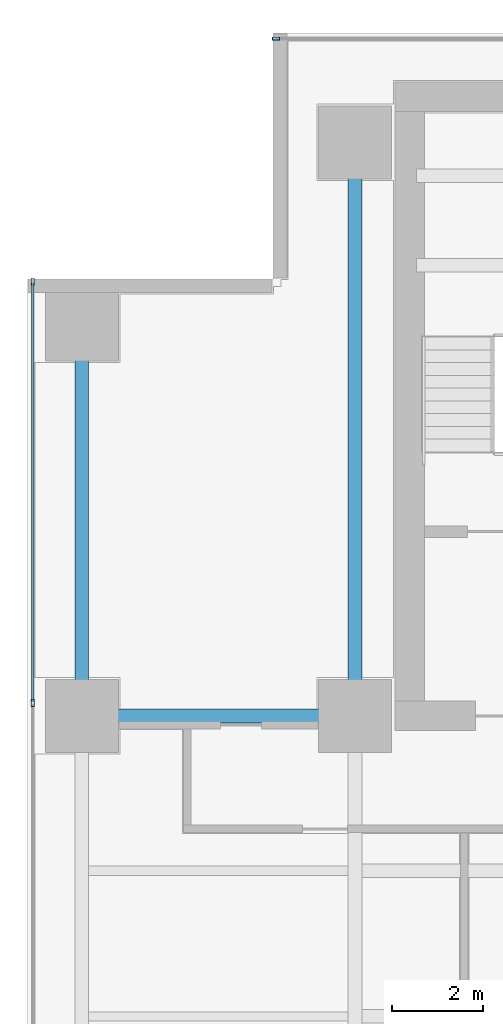
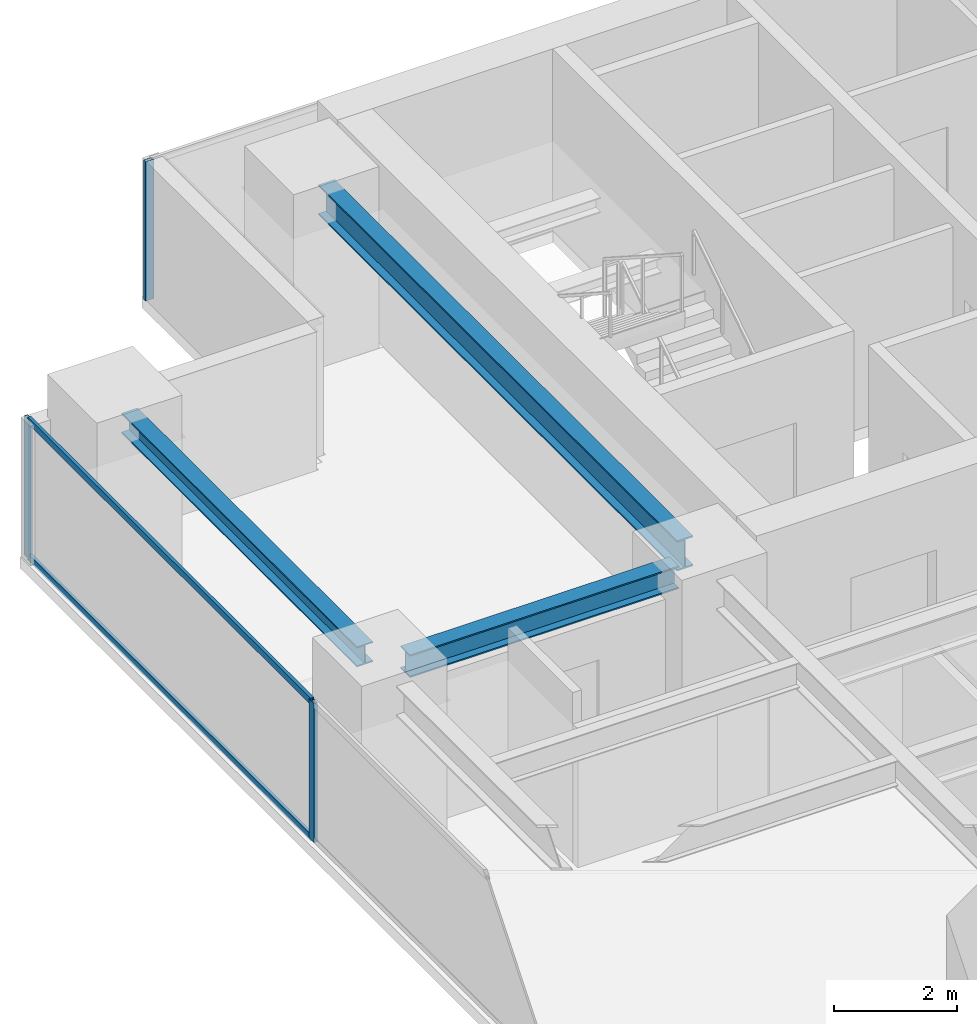
# One storey, part 14 of 27: 5 members, 3 beams, 2 elements without a shape of their own.
"""IFC4 building model written with IfcOpenShell, lengths in metres."""

from ifc_helpers import new_model, si_unit, direction, frame, origin, origin_2d, place, context, subcontext, project, spatial, hollow_rectangle, i_section, extrude, source, transform, mapped, material, layer, layer_set, material_profile, profile_set, type_object, element, aggregate, save


model = new_model("IFC4")

# Units and contexts
model_context = context("Model", 3, precision=1e-05, world=origin(), true_north=direction((0.0, 1.0)))
body_context = subcontext(model_context, "Body", "Model", "MODEL_VIEW")
ifc_project = project(units=[si_unit("LENGTHUNIT", "METRE"), si_unit("AREAUNIT", "SQUARE_METRE"), si_unit("VOLUMEUNIT", "CUBIC_METRE"), si_unit("PLANEANGLEUNIT", "RADIAN"), si_unit("MASSUNIT", "GRAM", prefix="KILO")], contexts=[model_context])

# Site, building, storey
site_placement = place(None, origin())
site = spatial("IfcSite", under=ifc_project, at=site_placement, CompositionType="ELEMENT")
building_placement = place(site_placement, origin())
building = spatial("IfcBuilding", under=site, at=building_placement, Name="Sumidabori Civic Tower", CompositionType="ELEMENT")
storey_placement = place(building_placement, frame((0.0, 0.0, 156.800048828125)))
storey = spatial("IfcBuildingStorey", under=building, at=storey_placement, Name="L40", CompositionType="ELEMENT", Elevation=156.800048828125)

# Beams
ifc_material_1 = material(Name="Steel SN490", Category="steel")
ifc_material_profile_1 = material_profile(ifc_material_1, i_section(OverallWidth=0.300048828125, OverallDepth=0.39990234375, WebThickness=0.013427734375, FlangeThickness=0.02392578125, at=origin_2d()), Name="HE 400 B")
ifc_profile_set_1 = profile_set([ifc_material_profile_1], Name="Steel SN490")
beam_type_1 = type_object("IfcBeamType", Name="BM-GIRD-400", PredefinedType="BEAM", material=ifc_profile_set_1)
shared_shape_1 = source(origin(), body_context, "Body", "SweptSolid", [
    extrude(i_section(OverallWidth=0.300048828125, OverallDepth=0.39990234375, WebThickness=0.013427734375, FlangeThickness=0.02392578125, at=origin_2d()), origin(), (0.0, 0.0, 1.0), 7.64013671875),
])
beam_1_placement = place(storey_placement, frame((-22.800048828125, 10.679931640625, 3.179931640625), z_axis=(0.0, 1.0, 0.0), x_axis=(-1.0, 0.0, 0.0)))
element("IfcBeam", 1, at=beam_1_placement, inside=storey, type_object=beam_type_1, Name="Primary Girder L40 GY-21", PredefinedType="BEAM", context=body_context, shape_type="MappedRepresentation", body=[
    mapped(shared_shape_1, transform((0.0, 0.0, 0.0), x_axis=(1.0, 0.0, 0.0), y_axis=(0.0, 1.0, 0.0), z_axis=(0.0, 0.0, 1.0), scale=1.0)),
])
ifc_material_profile_2 = material_profile(ifc_material_1, i_section(OverallWidth=0.300048828125, OverallDepth=0.60009765625, WebThickness=0.015380859375, FlangeThickness=0.030029296875, at=origin_2d()), Name="HE 600 B")
ifc_profile_set_2 = profile_set([ifc_material_profile_2], Name="Steel SN490")
beam_type_2 = type_object("IfcBeamType", Name="BM-GIRD-600", PredefinedType="BEAM", material=ifc_profile_set_2)
shared_shape_2 = source(origin(), body_context, "Body", "SweptSolid", [
    extrude(i_section(OverallWidth=0.300048828125, OverallDepth=0.60009765625, WebThickness=0.015380859375, FlangeThickness=0.030029296875, at=origin_2d()), origin(), (0.0, 0.0, 1.0), 11.64013671875),
])
beam_2_placement = place(storey_placement, frame((-16.800048828125, 10.679931640625, 3.079833984375), z_axis=(0.0, 1.0, 0.0), x_axis=(-1.0, 0.0, 0.0)))
element("IfcBeam", 2, at=beam_2_placement, inside=storey, type_object=beam_type_2, Name="Primary Girder L40 GY-25", PredefinedType="BEAM", context=body_context, shape_type="MappedRepresentation", body=[
    mapped(shared_shape_2, transform((0.0, 0.0, 0.0), x_axis=(1.0, 0.0, 0.0), y_axis=(0.0, 1.0, 0.0), z_axis=(0.0, 0.0, 1.0), scale=1.0)),
])
ifc_material_profile_3 = material_profile(ifc_material_1, i_section(OverallWidth=0.300048828125, OverallDepth=0.449951171875, WebThickness=0.013916015625, FlangeThickness=0.02587890625, at=origin_2d()), Name="HE 450 B")
ifc_profile_set_3 = profile_set([ifc_material_profile_3], Name="Steel SN490")
beam_type_3 = type_object("IfcBeamType", Name="BM-GIRD-450", PredefinedType="BEAM", material=ifc_profile_set_3)
shared_shape_3 = source(origin(), body_context, "Body", "SweptSolid", [
    extrude(i_section(OverallWidth=0.300048828125, OverallDepth=0.449951171875, WebThickness=0.013916015625, FlangeThickness=0.02587890625, at=origin_2d()), origin(), (0.0, 0.0, 1.0), 5.0400390625),
])
beam_3_placement = place(storey_placement, frame((-22.320068359375, 10.199951171875, 3.155029296875), z_axis=(1.0, 0.0, 0.0), x_axis=(0.0, 1.0, 0.0)))
element("IfcBeam", 3, at=beam_3_placement, inside=storey, type_object=beam_type_3, Name="Primary Girder L40 GX-17", PredefinedType="BEAM", context=body_context, shape_type="MappedRepresentation", body=[
    mapped(shared_shape_3, transform((0.0, 0.0, 0.0), x_axis=(1.0, 0.0, 0.0), y_axis=(0.0, 1.0, 0.0), z_axis=(0.0, 0.0, 1.0), scale=1.0)),
])

# Curtain wall, member
ifc_material_2 = material(Name="Anodised Bronze Aluminium AW-6063-T6", Category="aluminium")
ifc_layer = layer(ifc_material_2, 0.179931640625, Name="Anodised Bronze Aluminium AW-6063-T6")
ifc_layer_set = layer_set([ifc_layer], Name="Anodised Bronze Aluminium AW-6063-T6")
curtain_wall_type = type_object("IfcCurtainWallType", Name="CW-SYS-3", PredefinedType="NOTDEFINED", material=ifc_layer_set)
curtain_wall_1_placement = place(storey_placement, origin())
curtain_wall_1 = element("IfcCurtainWall", 4, at=curtain_wall_1_placement, inside=storey, type_object=curtain_wall_type, Name="Curtain Wall CW:L40:R07", PredefinedType="NOTDEFINED")
ifc_material_profile_4 = material_profile(ifc_material_2, hollow_rectangle(XDim=0.06494140625, YDim=0.159912109375, WallThickness=0.0048828125, at=origin_2d()), Name="ALU MULLION 160x65")
ifc_profile_set_4 = profile_set([ifc_material_profile_4], Name="Anodised Bronze Aluminium AW-6063-T6")
member_type_1 = type_object("IfcMemberType", Name="CW-MUL-160", PredefinedType="MULLION", material=ifc_profile_set_4)
shared_shape_4 = source(origin(), body_context, "Body", "SweptSolid", [
    extrude(hollow_rectangle(XDim=0.06494140625, YDim=0.159912109375, WallThickness=0.0048828125, at=origin_2d()), origin(), (0.0, 0.0, 1.0), 2.760009765625),
])
member_1_placement = place(storey_placement, frame((-18.53759765625, 25.080078125, 0.0), z_axis=(0.0, 0.0, 1.0), x_axis=(0.0, -1.0, 0.0)))
member_1 = element("IfcMember", 5, at=member_1_placement, type_object=member_type_1, Name="CW-3 mullion 5", PredefinedType="MULLION", context=body_context, shape_type="MappedRepresentation", body=[
    mapped(shared_shape_4, transform((0.0, 0.0, 0.0), x_axis=(1.0, 0.0, 0.0), y_axis=(0.0, 1.0, 0.0), z_axis=(0.0, 0.0, 1.0), scale=1.0)),
])
aggregate(curtain_wall_1, [member_1])

# Curtain wall, members
curtain_wall_2_placement = place(storey_placement, origin())
curtain_wall_2 = element("IfcCurtainWall", 6, at=curtain_wall_2_placement, inside=storey, type_object=curtain_wall_type, Name="Curtain Wall CW:L40:R10", PredefinedType="NOTDEFINED")
member_2_placement = place(storey_placement, frame((-23.8798828125, 19.737548828125, 0.0), z_axis=(0.0, 0.0, 1.0), x_axis=(1.0, 0.0, 0.0)))
member_2 = element("IfcMember", 7, at=member_2_placement, type_object=member_type_1, Name="CW-3 mullion 1", PredefinedType="MULLION", context=body_context, shape_type="MappedRepresentation", body=[
    mapped(shared_shape_4, transform((0.0, 0.0, 0.0), x_axis=(1.0, 0.0, 0.0), y_axis=(0.0, 1.0, 0.0), z_axis=(0.0, 0.0, 1.0), scale=1.0)),
])
member_3_placement = place(storey_placement, frame((-23.8798828125, 10.485107421875, 0.0), z_axis=(0.0, 0.0, 1.0), x_axis=(1.0, 0.0, 0.0)))
member_3 = element("IfcMember", 8, at=member_3_placement, type_object=member_type_1, Name="CW-3 mullion 2", PredefinedType="MULLION", context=body_context, shape_type="MappedRepresentation", body=[
    mapped(shared_shape_4, transform((0.0, 0.0, 0.0), x_axis=(1.0, 0.0, 0.0), y_axis=(0.0, 1.0, 0.0), z_axis=(0.0, 0.0, 1.0), scale=1.0)),
])
ifc_material_profile_5 = material_profile(ifc_material_2, hollow_rectangle(XDim=0.06005859375, YDim=0.1298828125, WallThickness=0.0048828125, at=origin_2d()), Name="ALU TRANSOM 130x60")
ifc_profile_set_5 = profile_set([ifc_material_profile_5], Name="Anodised Bronze Aluminium AW-6063-T6")
member_type_2 = type_object("IfcMemberType", Name="CW-TRN-130", PredefinedType="USERDEFINED", material=ifc_profile_set_5)
shared_shape_5 = source(origin(), body_context, "Body", "SweptSolid", [
    extrude(hollow_rectangle(XDim=0.06005859375, YDim=0.1298828125, WallThickness=0.0048828125, at=origin_2d()), origin(), (0.0, 0.0, 1.0), 9.1875),
])
member_4_placement = place(storey_placement, frame((-23.8798828125, 19.705078125, 0.030029296875), z_axis=(0.0, -1.0, 0.0), x_axis=(1.0, 0.0, 0.0)))
member_4 = element("IfcMember", 9, at=member_4_placement, type_object=member_type_2, Name="CW-3 transom 1.1", ObjectType="TRANSOM", PredefinedType="USERDEFINED", context=body_context, shape_type="MappedRepresentation", body=[
    mapped(shared_shape_5, transform((0.0, 0.0, 0.0), x_axis=(1.0, 0.0, 0.0), y_axis=(0.0, 1.0, 0.0), z_axis=(0.0, 0.0, 1.0), scale=1.0)),
])
member_5_placement = place(storey_placement, frame((-23.8798828125, 19.705078125, 2.72998046875), z_axis=(0.0, -1.0, 0.0), x_axis=(1.0, 0.0, 0.0)))
member_5 = element("IfcMember", 10, at=member_5_placement, type_object=member_type_2, Name="CW-3 transom 1.2", ObjectType="TRANSOM", PredefinedType="USERDEFINED", context=body_context, shape_type="MappedRepresentation", body=[
    mapped(shared_shape_5, transform((0.0, 0.0, 0.0), x_axis=(1.0, 0.0, 0.0), y_axis=(0.0, 1.0, 0.0), z_axis=(0.0, 0.0, 1.0), scale=1.0)),
])
aggregate(curtain_wall_2, [member_2, member_3, member_4, member_5])

save(model, "model.ifc")
